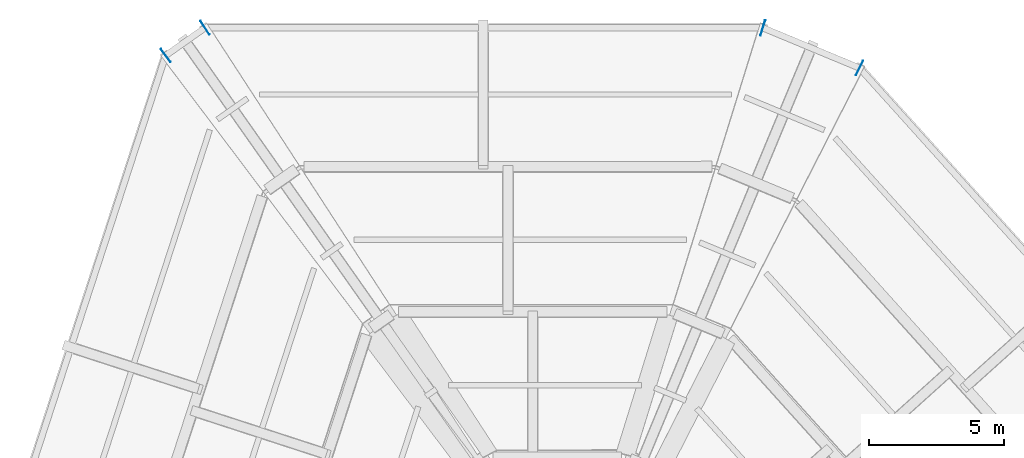
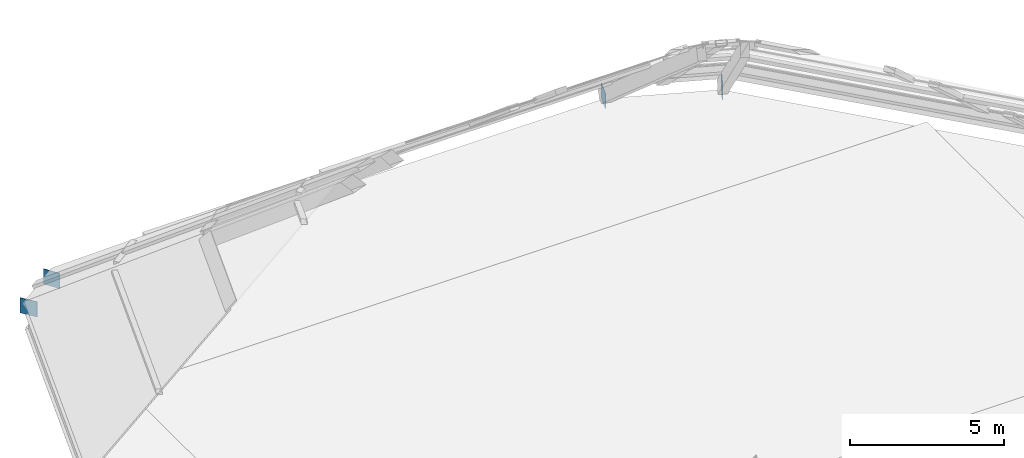
# One storey, part 9 of 10: 4 discrete accessories.
"""IFC4 building model written with IfcOpenShell, lengths in metres."""

from ifc_helpers import new_model, si_unit, direction, frame, origin, origin_2d, place, context, subcontext, project, spatial, rectangle, extrude, material, type_object, element, save


model = new_model("IFC4")

# Units and contexts
model_context = context("Model", 3, precision=1e-05, world=origin(), true_north=direction((0.0, 1.0)))
body_context = subcontext(model_context, "Body", "Model", "MODEL_VIEW")
ifc_project = project(units=[si_unit("LENGTHUNIT", "METRE"), si_unit("AREAUNIT", "SQUARE_METRE"), si_unit("VOLUMEUNIT", "CUBIC_METRE"), si_unit("PLANEANGLEUNIT", "RADIAN"), si_unit("MASSUNIT", "GRAM", prefix="KILO")], contexts=[model_context])

# Site, building, storey
site_placement = place(None, origin())
site = spatial("IfcSite", under=ifc_project, at=site_placement, CompositionType="ELEMENT")
building_placement = place(site_placement, origin())
building = spatial("IfcBuilding", under=site, at=building_placement, Name="Isthmus Gate Tower", CompositionType="ELEMENT")
storey_placement = place(building_placement, frame((0.0, 0.0, 315.60009765625)))
storey = spatial("IfcBuildingStorey", under=building, at=storey_placement, Name="C4", CompositionType="ELEMENT", Elevation=315.60009765625)

# Discrete accessories
ifc_material = material(Name="Structural steel ASTM A992 Gr 50", Category="steel")
discrete_accessory_type = type_object("IfcDiscreteAccessoryType", Name="GUSSET PLATE 600 X 20", PredefinedType="USERDEFINED", material=ifc_material)
for number, where, z_axis, x_axis, name in (
    (1, (6.659912109375, 21.5, -0.300048828125), (0.0, 0.0, 1.0), (-0.295896295985, -0.955220069943, 0.0), "GUSSET PLATE"),
    (2, (-13.96923828125, 21.5, -0.300048828125), (0.0, 0.0, 1.0), (0.544833055339, -0.838544537762, 0.0), "GUSSET PLATE"),
    (3, (-15.425048828125, 20.475830078125, -0.300048828125), (0.0, 0.0, 1.0), (0.601697300583, -0.798724206764, 0.0), "GUSSET PLATE"),
    (4, (10.234375, 20.013671875, -0.300048828125), (0.0, 0.0, 1.0), (-0.455292587358, -0.890341878099, 0.0), "GUSSET PLATE"),
):
    element("IfcDiscreteAccessory", number, at=place(storey_placement, frame(where, z_axis=z_axis, x_axis=x_axis)), inside=storey, type_object=discrete_accessory_type, Name=name, ObjectType="GUSSET PLATE", PredefinedType="USERDEFINED", context=body_context, shape_type="SweptSolid", body=[
        extrude(rectangle(XDim=0.60009765625, YDim=0.02001953125, at=origin_2d()), origin(), (0.0, 0.0, 1.0), 0.60009765625),
    ])

save(model, "model.ifc")
